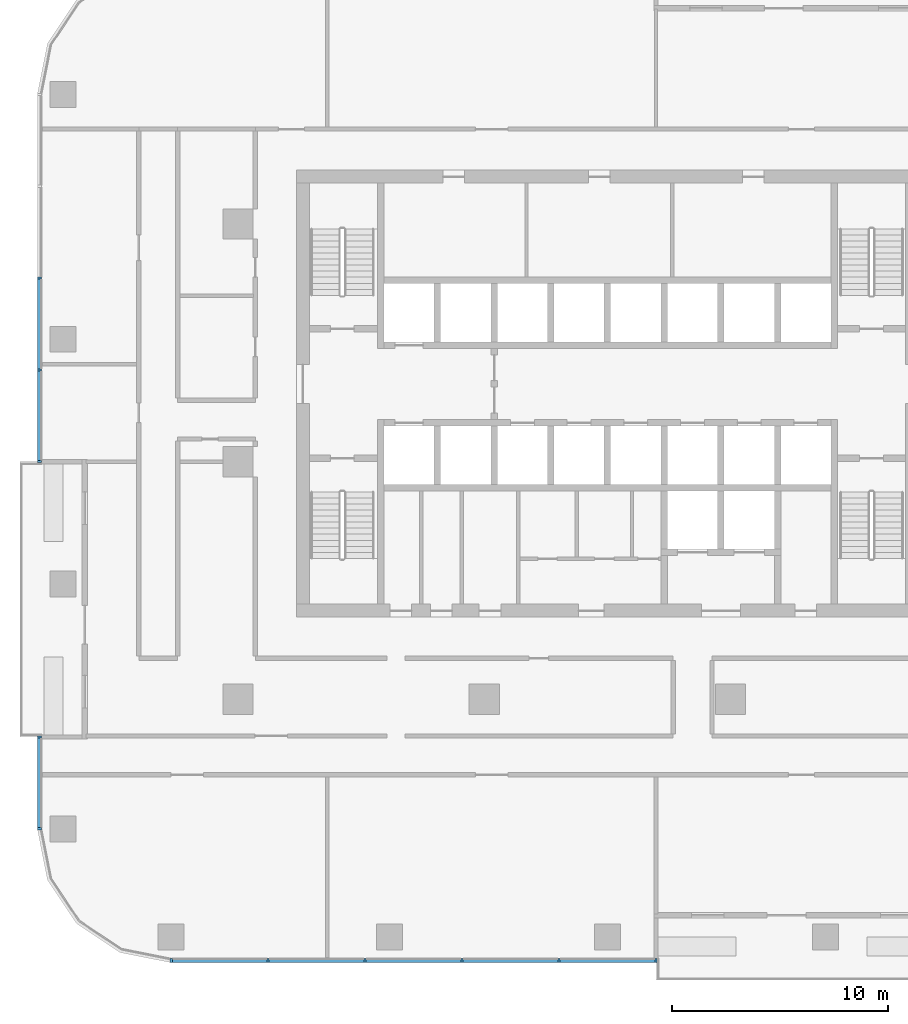
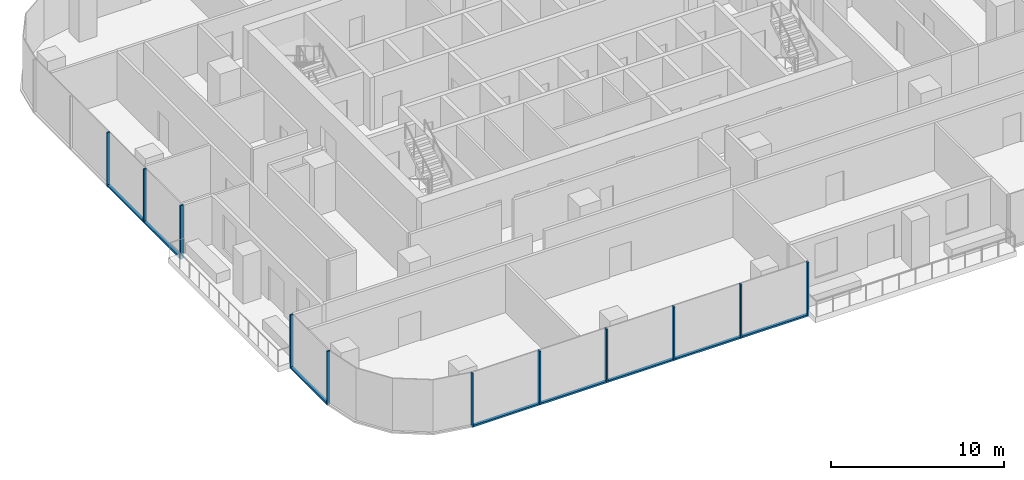
# One storey, part 2 of 14: 19 members, 3 elements without a shape of their own.
"""IFC4 building model written with IfcOpenShell, lengths in metres."""

import ifcopenshell
import ifcopenshell.guid

model = None  # the IFC model being written
_history = None  # IfcOwnerHistory: only IFC2X3 demands one
_inside = {}  # id of a spatial element -> (the spatial element, [elements in it])
_under = {}  # id of a project, library or spatial element -> (it, [spatial elements below it])
_declared = {}  # id of a project -> (the project, [libraries it declares])
_typed = {}  # id of a type object -> (the type object, [elements of that type])
_made_of = {}  # id of a material, layer set ... -> (it, [elements and type objects made of it])


def new_model(schema):
    """Start an empty IFC model of exactly this schema.

    Asked for "IFC4X3", IfcOpenShell would pick the latest addendum, in which some entities
    have other attributes; the version numbers below select the first issue.
    IFC2X3 requires an IfcOwnerHistory on every rooted entity: one is made here for all.
    """
    global model, _history
    if schema == "IFC4X3":
        model = ifcopenshell.file(schema_version=(4, 3, 0, 0))
    else:
        model = ifcopenshell.file(schema=schema)
    _inside.clear()
    _under.clear()
    _declared.clear()
    _typed.clear()
    _made_of.clear()
    _history = None
    if model.schema == "IFC2X3":
        org = make("IfcOrganization", Name="unknown")
        user = make(
            "IfcPersonAndOrganization",
            ThePerson=make("IfcPerson", FamilyName="unknown"),
            TheOrganization=org,
        )
        app = make(
            "IfcApplication",
            ApplicationDeveloper=org,
            Version="unknown",
            ApplicationFullName="unknown",
            ApplicationIdentifier="unknown",
        )
        _history = make(
            "IfcOwnerHistory",
            OwningUser=user,
            OwningApplication=app,
            ChangeAction="ADDED",
            CreationDate=0,
        )
    return model


def make(cls, **values):
    """One entity of the class cls with the attributes given. An attribute that is None is left unset."""
    return model.create_entity(
        cls, **{name: value for name, value in values.items() if value is not None}
    )


def rooted(cls, **values):
    """An entity with a GlobalId (a new one), such as an element, a storey or a relation."""
    return make(cls, GlobalId=ifcopenshell.guid.new(), OwnerHistory=_history, **values)


def si_unit(unit_type, name, prefix=None):
    """IfcSIUnit, for example si_unit("LENGTHUNIT", "METRE", prefix="MILLI")."""
    return make("IfcSIUnit", UnitType=unit_type, Prefix=prefix, Name=name)


def assignment(units):
    """IfcUnitAssignment: the units of a project."""
    return None if units is None else make("IfcUnitAssignment", Units=units)


def point(xyz):
    """IfcCartesianPoint."""
    return None if xyz is None else make("IfcCartesianPoint", Coordinates=xyz)


def direction(xyz):
    """IfcDirection."""
    return None if xyz is None else make("IfcDirection", DirectionRatios=xyz)


def frame(location, z_axis=None, x_axis=None):
    """IfcAxis2Placement3D, a coordinate frame: its origin and axes. An axis left out is left unset."""
    return make(
        "IfcAxis2Placement3D",
        Location=point(location),
        Axis=direction(z_axis),
        RefDirection=direction(x_axis),
    )


def frame_2d(location, x_axis=None):
    """IfcAxis2Placement2D, a coordinate frame in the plane: its origin and x axis."""
    return make(
        "IfcAxis2Placement2D", Location=point(location), RefDirection=direction(x_axis)
    )


def origin():
    """The frame at (0, 0, 0) with its axes left unset."""
    return frame((0.0, 0.0, 0.0))


def origin_2d():
    """The frame at (0, 0) in the plane with its x axis left unset."""
    return frame_2d((0.0, 0.0))


def place(relative_to, where):
    """IfcLocalPlacement: puts the frame where relative to a parent placement (None: the world)."""
    return make(
        "IfcLocalPlacement", PlacementRelTo=relative_to, RelativePlacement=where
    )


def context(
    kind, dimensions, precision=None, world=None, true_north=None, identifier=None
):
    """IfcGeometricRepresentationContext, for example the 3D "Model" context."""
    return make(
        "IfcGeometricRepresentationContext",
        ContextIdentifier=identifier,
        ContextType=kind,
        CoordinateSpaceDimension=dimensions,
        Precision=precision,
        WorldCoordinateSystem=world,
        TrueNorth=true_north,
    )


def subcontext(parent, identifier, kind, view, scale=None):
    """IfcGeometricRepresentationSubContext, for example "Body" below "Model"."""
    return make(
        "IfcGeometricRepresentationSubContext",
        ContextIdentifier=identifier,
        ContextType=kind,
        ParentContext=parent,
        TargetScale=scale,
        TargetView=view,
    )


def project(units=None, contexts=None):
    """IfcProject with its units and contexts."""
    return rooted(
        "IfcProject",
        Name="project",
        RepresentationContexts=contexts,
        UnitsInContext=assignment(units),
    )


def spatial(cls, under=None, at=None, **own):
    """A site, building, storey or space (cls), placed at a placement, below another one or the project."""
    s = rooted(cls, ObjectPlacement=at, **own)
    if under is not None:
        _under.setdefault(under.id(), (under, []))[1].append(s)
    return s


def profile(cls, at=None, kind="AREA", **sizes):
    """A parametric profile (cls). Its sizes go by their IFC names, for example OverallWidth=200.0."""
    return make(cls, ProfileType=kind, Position=at, **sizes)


def rectangle(**sizes):
    """IfcRectangleProfileDef."""
    return profile("IfcRectangleProfileDef", **sizes)


def extrude(swept, where, along, depth):
    """IfcExtrudedAreaSolid: the profile swept, set in the frame where, extruded along a direction by depth."""
    return make(
        "IfcExtrudedAreaSolid",
        SweptArea=swept,
        Position=where,
        ExtrudedDirection=direction(along),
        Depth=depth,
    )


def shape(context_of_items, identifier, shape_type, items):
    """IfcShapeRepresentation: the items that make up one representation, for example the "Body"."""
    return make(
        "IfcShapeRepresentation",
        ContextOfItems=context_of_items,
        RepresentationIdentifier=identifier,
        RepresentationType=shape_type,
        Items=items,
    )


def material(Name=None, Category=None):
    """IfcMaterial."""
    return make("IfcMaterial", Name=Name, Category=Category)


def material_profile(
    of_material, cross_section, Name=None, Category=None, Priority=None
):
    """IfcMaterialProfile: a cross section and its material."""
    return make(
        "IfcMaterialProfile",
        Name=Name,
        Material=of_material,
        Profile=cross_section,
        Priority=Priority,
        Category=Category,
    )


def profile_set(profiles, Name=None, composite=None):
    """IfcMaterialProfileSet."""
    return make(
        "IfcMaterialProfileSet",
        Name=Name,
        MaterialProfiles=profiles,
        CompositeProfile=composite,
    )


def made_of(thing, what):
    """Note that an element or type object is made of a material, layer set ...; save() writes the relation."""
    if what is not None:
        _made_of.setdefault(what.id(), (what, []))[1].append(thing)
    return thing


def type_object(cls, material=None, **own):
    """A type object (cls), such as IfcWallType, which elements share."""
    return made_of(rooted(cls, **own), material)


def element(
    cls,
    number,
    at=None,
    inside=None,
    cuts=None,
    type_object=None,
    material=None,
    context=None,
    identifier="Body",
    shape_type=None,
    held_by="IfcProductDefinitionShape",
    body=None,
    shapes=None,
    **own,
):
    """One element of the class cls, such as IfcWall. Its Tag is "e" and its number.

    at: its placement. inside: the storey or other place that contains it. cuts: it is an
    opening in that element (IfcRelVoidsElement). A single representation is given by context,
    identifier, shape_type and body (its items); several are given by shapes. held_by: the class
    of the entity that holds the representations. save() writes the other relations.
    """
    e = rooted(cls, Tag="e%d" % number, ObjectPlacement=at, **own)
    if body is not None:
        shapes = [shape(context, identifier, shape_type, body)]
    if shapes is not None:
        e.Representation = make(held_by, Representations=shapes)
    if inside is not None:
        _inside.setdefault(inside.id(), (inside, []))[1].append(e)
    if cuts is not None:
        rooted(
            "IfcRelVoidsElement", RelatingBuildingElement=cuts, RelatedOpeningElement=e
        )
    if type_object is not None:
        _typed.setdefault(type_object.id(), (type_object, []))[1].append(e)
    return made_of(e, material)


def aggregate(whole, parts):
    """IfcRelAggregates: a whole, such as a stair, and the parts it consists of."""
    return rooted("IfcRelAggregates", RelatingObject=whole, RelatedObjects=parts)


def save(model, path):
    """Write the relations noted so far, then the file.

    IfcRelAggregates (storeys below a building ...), IfcRelContainedInSpatialStructure (elements
    in a storey), IfcRelDefinesByType, IfcRelAssociatesMaterial and IfcRelDeclares: one each for
    every whole, place, type object, material and project.
    """
    for whole, parts in _under.values():
        aggregate(whole, parts)
    for where, things in _inside.values():
        rooted(
            "IfcRelContainedInSpatialStructure",
            RelatedElements=things,
            RelatingStructure=where,
        )
    for kind, things in _typed.values():
        rooted("IfcRelDefinesByType", RelatedObjects=things, RelatingType=kind)
    for what, things in _made_of.values():
        rooted("IfcRelAssociatesMaterial", RelatedObjects=things, RelatingMaterial=what)
    for by, libraries in _declared.values():
        rooted("IfcRelDeclares", RelatingContext=by, RelatedDefinitions=libraries)
    model.write(path)


model = new_model("IFC4")

# Units and contexts
model_context = context("Model", 3, precision=1e-05, world=origin(), true_north=direction((0.0, 1.0)))
body_context = subcontext(model_context, "Body", "Model", "MODEL_VIEW")
ifc_project = project(units=[si_unit("LENGTHUNIT", "METRE"), si_unit("AREAUNIT", "SQUARE_METRE"), si_unit("VOLUMEUNIT", "CUBIC_METRE"), si_unit("PLANEANGLEUNIT", "RADIAN"), si_unit("MASSUNIT", "GRAM", prefix="KILO")], contexts=[model_context])

# Site, building, storey
site_placement = place(None, origin())
site = spatial("IfcSite", under=ifc_project, at=site_placement, CompositionType="ELEMENT")
building_placement = place(site_placement, origin())
building = spatial("IfcBuilding", under=site, at=building_placement, Name="Mopane Tessera Tower", CompositionType="ELEMENT")
storey_placement = place(building_placement, frame((0.0, 0.0, 201.0)))
storey = spatial("IfcBuildingStorey", under=building, at=storey_placement, Name="L42", CompositionType="ELEMENT", Elevation=201.0)

# Curtain wall, members
ifc_material_1 = material(Name="Aluminium frame", Category="aluminium")
curtain_wall_type = type_object("IfcCurtainWallType", Name="Unitised curtain wall", PredefinedType="NOTDEFINED", material=ifc_material_1)
curtain_wall_1_placement = place(storey_placement, origin())
curtain_wall_1 = element("IfcCurtainWall", 1, at=curtain_wall_1_placement, inside=storey, type_object=curtain_wall_type, Name="e:cw:L42:S:0", PredefinedType="NOTDEFINED")
ifc_material_2 = material(Name="Aluminium frame", Category="aluminium")
ifc_material_profile_1 = material_profile(ifc_material_2, rectangle(XDim=0.10009765625, YDim=0.199951171875, at=origin_2d()))
ifc_profile_set_1 = profile_set([ifc_material_profile_1], Name="Aluminium frame")
member_type_1 = type_object("IfcMemberType", Name="Aluminium mullion 100 x 200", PredefinedType="MULLION", material=ifc_profile_set_1)
member_1_placement = place(storey_placement, frame((-20.199951171875, -23.10009765625, -0.39990234375), z_axis=(0.0, 0.0, 1.0), x_axis=(1.0, 0.0, 0.0)))
member_1 = element("IfcMember", 2, at=member_1_placement, type_object=member_type_1, Name="e:cw:L42:S:0:mu0", PredefinedType="MULLION", context=body_context, shape_type="SweptSolid", body=[
    extrude(rectangle(XDim=0.10009765625, YDim=0.199951171875, at=origin_2d()), origin(), (0.0, 0.0, 1.0), 3.7998046875),
])
member_2_placement = place(storey_placement, frame((-15.711181640625, -23.10009765625, -0.39990234375), z_axis=(0.0, 0.0, 1.0), x_axis=(1.0, 0.0, 0.0)))
member_2 = element("IfcMember", 3, at=member_2_placement, type_object=member_type_1, Name="e:cw:L42:S:0:mu1", PredefinedType="MULLION", context=body_context, shape_type="SweptSolid", body=[
    extrude(rectangle(XDim=0.10009765625, YDim=0.199951171875, at=origin_2d()), origin(), (0.0, 0.0, 1.0), 3.7998046875),
])
member_3_placement = place(storey_placement, frame((-11.22216796875, -23.10009765625, -0.39990234375), z_axis=(0.0, 0.0, 1.0), x_axis=(1.0, 0.0, 0.0)))
member_3 = element("IfcMember", 4, at=member_3_placement, type_object=member_type_1, Name="e:cw:L42:S:0:mu2", PredefinedType="MULLION", context=body_context, shape_type="SweptSolid", body=[
    extrude(rectangle(XDim=0.10009765625, YDim=0.199951171875, at=origin_2d()), origin(), (0.0, 0.0, 1.0), 3.7998046875),
])
member_4_placement = place(storey_placement, frame((-6.7333984375, -23.10009765625, -0.39990234375), z_axis=(0.0, 0.0, 1.0), x_axis=(1.0, 0.0, 0.0)))
member_4 = element("IfcMember", 5, at=member_4_placement, type_object=member_type_1, Name="e:cw:L42:S:0:mu3", PredefinedType="MULLION", context=body_context, shape_type="SweptSolid", body=[
    extrude(rectangle(XDim=0.10009765625, YDim=0.199951171875, at=origin_2d()), origin(), (0.0, 0.0, 1.0), 3.7998046875),
])
member_5_placement = place(storey_placement, frame((-2.244384765625, -23.10009765625, -0.39990234375), z_axis=(0.0, 0.0, 1.0), x_axis=(1.0, 0.0, 0.0)))
member_5 = element("IfcMember", 6, at=member_5_placement, type_object=member_type_1, Name="e:cw:L42:S:0:mu4", PredefinedType="MULLION", context=body_context, shape_type="SweptSolid", body=[
    extrude(rectangle(XDim=0.10009765625, YDim=0.199951171875, at=origin_2d()), origin(), (0.0, 0.0, 1.0), 3.7998046875),
])
member_6_placement = place(storey_placement, frame((2.244384765625, -23.10009765625, -0.39990234375), z_axis=(0.0, 0.0, 1.0), x_axis=(1.0, 0.0, 0.0)))
member_6 = element("IfcMember", 7, at=member_6_placement, type_object=member_type_1, Name="e:cw:L42:S:0:mu5", PredefinedType="MULLION", context=body_context, shape_type="SweptSolid", body=[
    extrude(rectangle(XDim=0.10009765625, YDim=0.199951171875, at=origin_2d()), origin(), (0.0, 0.0, 1.0), 3.7998046875),
])

curtain_wall_2_placement = place(storey_placement, origin())
curtain_wall_2 = element("IfcCurtainWall", 8, at=curtain_wall_2_placement, inside=storey, type_object=curtain_wall_type, Name="e:cw:L42:W:0", PredefinedType="NOTDEFINED")
member_7_placement = place(storey_placement, frame((-26.300048828125, 8.5, -0.39990234375), z_axis=(0.0, 0.0, 1.0), x_axis=(0.0, -1.0, 0.0)))
member_7 = element("IfcMember", 9, at=member_7_placement, type_object=member_type_1, Name="e:cw:L42:W:0:mu2", PredefinedType="MULLION", context=body_context, shape_type="SweptSolid", body=[
    extrude(rectangle(XDim=0.10009765625, YDim=0.199951171875, at=origin_2d()), origin(), (0.0, 0.0, 1.0), 3.7998046875),
])
member_8_placement = place(storey_placement, frame((-26.300048828125, 4.25, -0.39990234375), z_axis=(0.0, 0.0, 1.0), x_axis=(0.0, -1.0, 0.0)))
member_8 = element("IfcMember", 10, at=member_8_placement, type_object=member_type_1, Name="e:cw:L42:W:0:mu3", PredefinedType="MULLION", context=body_context, shape_type="SweptSolid", body=[
    extrude(rectangle(XDim=0.10009765625, YDim=0.199951171875, at=origin_2d()), origin(), (0.0, 0.0, 1.0), 3.7998046875),
])
member_9_placement = place(storey_placement, frame((-26.300048828125, 0.0, -0.39990234375), z_axis=(0.0, 0.0, 1.0), x_axis=(0.0, -1.0, 0.0)))
member_9 = element("IfcMember", 11, at=member_9_placement, type_object=member_type_1, Name="e:cw:L42:W:0:mu4", PredefinedType="MULLION", context=body_context, shape_type="SweptSolid", body=[
    extrude(rectangle(XDim=0.10009765625, YDim=0.199951171875, at=origin_2d()), origin(), (0.0, 0.0, 1.0), 3.7998046875),
])

curtain_wall_3_placement = place(storey_placement, origin())
curtain_wall_3 = element("IfcCurtainWall", 12, at=curtain_wall_3_placement, inside=storey, type_object=curtain_wall_type, Name="e:cw:L42:W:7", PredefinedType="NOTDEFINED")
member_10_placement = place(storey_placement, frame((-26.300048828125, -12.75, -0.39990234375), z_axis=(0.0, 0.0, 1.0), x_axis=(0.0, -1.0, 0.0)))
member_10 = element("IfcMember", 13, at=member_10_placement, type_object=member_type_1, Name="e:cw:L42:W:7:mu7", PredefinedType="MULLION", context=body_context, shape_type="SweptSolid", body=[
    extrude(rectangle(XDim=0.10009765625, YDim=0.199951171875, at=origin_2d()), origin(), (0.0, 0.0, 1.0), 3.7998046875),
])
member_11_placement = place(storey_placement, frame((-26.300048828125, -17.0, -0.39990234375), z_axis=(0.0, 0.0, 1.0), x_axis=(0.0, -1.0, 0.0)))
member_11 = element("IfcMember", 14, at=member_11_placement, type_object=member_type_1, Name="e:cw:L42:W:7:mu8", PredefinedType="MULLION", context=body_context, shape_type="SweptSolid", body=[
    extrude(rectangle(XDim=0.10009765625, YDim=0.199951171875, at=origin_2d()), origin(), (0.0, 0.0, 1.0), 3.7998046875),
])

# Member
ifc_material_3 = material(Name="Aluminium frame", Category="aluminium")
ifc_material_profile_2 = material_profile(ifc_material_3, rectangle(XDim=0.199951171875, YDim=0.1201171875, at=origin_2d()))
ifc_profile_set_2 = profile_set([ifc_material_profile_2], Name="Aluminium frame")
member_type_2 = type_object("IfcMemberType", Name="Aluminium transom 200 x 120", PredefinedType="USERDEFINED", material=ifc_profile_set_2)
member_12_placement = place(storey_placement, frame((-20.14990234375, -23.10009765625, -0.340087890625), z_axis=(1.0, 0.0, 0.0), x_axis=(0.0, 1.0, 0.0)))
member_12 = element("IfcMember", 15, at=member_12_placement, type_object=member_type_2, Name="e:cw:L42:S:0:tr0", ObjectType="TRANSOM", PredefinedType="USERDEFINED", context=body_context, shape_type="SweptSolid", body=[
    extrude(rectangle(XDim=0.199951171875, YDim=0.1201171875, at=origin_2d()), origin(), (0.0, 0.0, 1.0), 4.388671875),
])

member_13_placement = place(storey_placement, frame((-15.6611328125, -23.10009765625, -0.340087890625), z_axis=(1.0, 0.0, 0.0), x_axis=(0.0, 1.0, 0.0)))
member_13 = element("IfcMember", 16, at=member_13_placement, type_object=member_type_2, Name="e:cw:L42:S:0:tr1", ObjectType="TRANSOM", PredefinedType="USERDEFINED", context=body_context, shape_type="SweptSolid", body=[
    extrude(rectangle(XDim=0.199951171875, YDim=0.1201171875, at=origin_2d()), origin(), (0.0, 0.0, 1.0), 4.388916015625),
])

member_14_placement = place(storey_placement, frame((-11.172119140625, -23.10009765625, -0.340087890625), z_axis=(1.0, 0.0, 0.0), x_axis=(0.0, 1.0, 0.0)))
member_14 = element("IfcMember", 17, at=member_14_placement, type_object=member_type_2, Name="e:cw:L42:S:0:tr2", ObjectType="TRANSOM", PredefinedType="USERDEFINED", context=body_context, shape_type="SweptSolid", body=[
    extrude(rectangle(XDim=0.199951171875, YDim=0.1201171875, at=origin_2d()), origin(), (0.0, 0.0, 1.0), 4.388671875),
])

member_15_placement = place(storey_placement, frame((-6.683349609375, -23.10009765625, -0.340087890625), z_axis=(1.0, 0.0, 0.0), x_axis=(0.0, 1.0, 0.0)))
member_15 = element("IfcMember", 18, at=member_15_placement, type_object=member_type_2, Name="e:cw:L42:S:0:tr3", ObjectType="TRANSOM", PredefinedType="USERDEFINED", context=body_context, shape_type="SweptSolid", body=[
    extrude(rectangle(XDim=0.199951171875, YDim=0.1201171875, at=origin_2d()), origin(), (0.0, 0.0, 1.0), 4.388916015625),
])

member_16_placement = place(storey_placement, frame((-2.1943359375, -23.10009765625, -0.340087890625), z_axis=(1.0, 0.0, 0.0), x_axis=(0.0, 1.0, 0.0)))
member_16 = element("IfcMember", 19, at=member_16_placement, type_object=member_type_2, Name="e:cw:L42:S:0:tr4", ObjectType="TRANSOM", PredefinedType="USERDEFINED", context=body_context, shape_type="SweptSolid", body=[
    extrude(rectangle(XDim=0.199951171875, YDim=0.1201171875, at=origin_2d()), origin(), (0.0, 0.0, 1.0), 4.388671875),
])

aggregate(curtain_wall_1, [member_1, member_2, member_3, member_4, member_5, member_6, member_12, member_13, member_14, member_15, member_16])

member_17_placement = place(storey_placement, frame((-26.300048828125, 8.449951171875, -0.340087890625), z_axis=(0.0, -1.0, 0.0), x_axis=(1.0, 0.0, 0.0)))
member_17 = element("IfcMember", 20, at=member_17_placement, type_object=member_type_2, Name="e:cw:L42:W:0:tr2", ObjectType="TRANSOM", PredefinedType="USERDEFINED", context=body_context, shape_type="SweptSolid", body=[
    extrude(rectangle(XDim=0.199951171875, YDim=0.1201171875, at=origin_2d()), origin(), (0.0, 0.0, 1.0), 4.14990234375),
])

member_18_placement = place(storey_placement, frame((-26.300048828125, 4.199951171875, -0.340087890625), z_axis=(0.0, -1.0, 0.0), x_axis=(1.0, 0.0, 0.0)))
member_18 = element("IfcMember", 21, at=member_18_placement, type_object=member_type_2, Name="e:cw:L42:W:0:tr3", ObjectType="TRANSOM", PredefinedType="USERDEFINED", context=body_context, shape_type="SweptSolid", body=[
    extrude(rectangle(XDim=0.199951171875, YDim=0.1201171875, at=origin_2d()), origin(), (0.0, 0.0, 1.0), 4.14990234375),
])

aggregate(curtain_wall_2, [member_7, member_8, member_9, member_17, member_18])

member_19_placement = place(storey_placement, frame((-26.300048828125, -12.800048828125, -0.340087890625), z_axis=(0.0, -1.0, 0.0), x_axis=(1.0, 0.0, 0.0)))
member_19 = element("IfcMember", 22, at=member_19_placement, type_object=member_type_2, Name="e:cw:L42:W:7:tr7", ObjectType="TRANSOM", PredefinedType="USERDEFINED", context=body_context, shape_type="SweptSolid", body=[
    extrude(rectangle(XDim=0.199951171875, YDim=0.1201171875, at=origin_2d()), origin(), (0.0, 0.0, 1.0), 4.14990234375),
])

aggregate(curtain_wall_3, [member_10, member_11, member_19])

save(model, "model.ifc")
